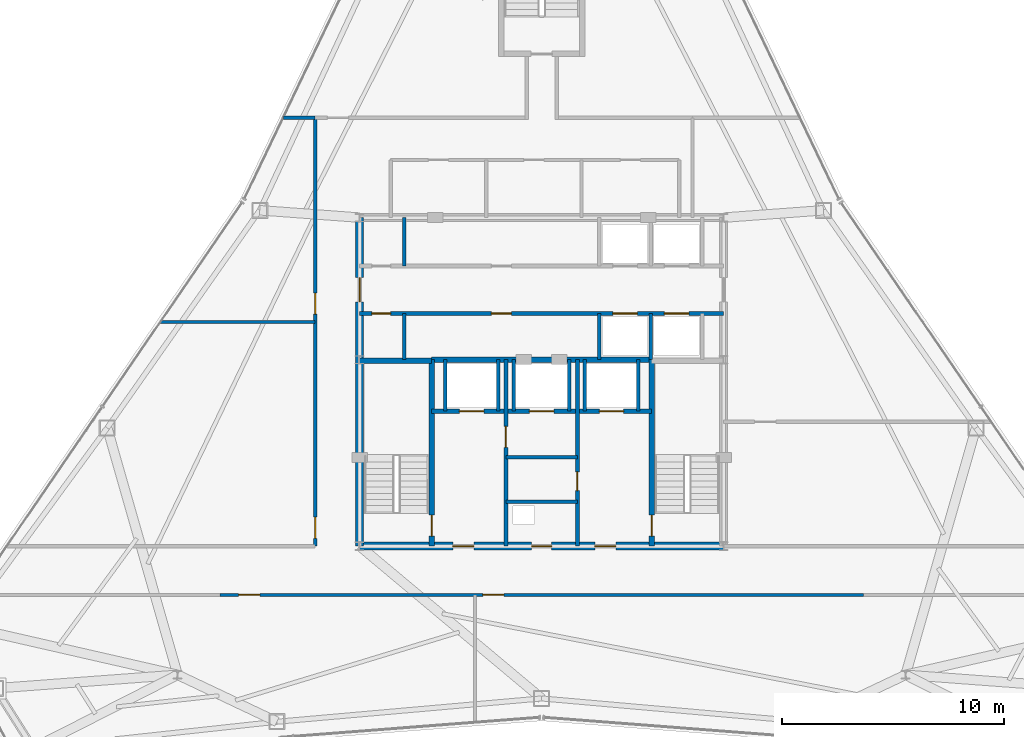
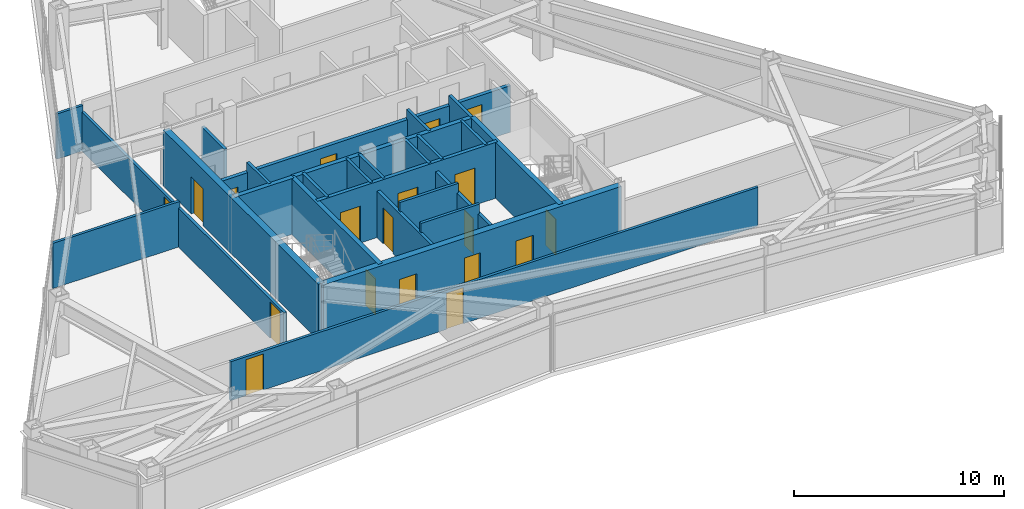
# One storey, part 9 of 12: 26 walls, 19 doors, 19 openings.
"""IFC4 building model written with IfcOpenShell, lengths in metres."""

from ifc_helpers import new_model, si_unit, direction, frame, frame_2d, origin, place, context, subcontext, project, spatial, rectangle, extrude, material, layer, layer_set, type_object, element, fill, save


model = new_model("IFC4")

# Units and contexts
model_context = context("Model", 3, precision=1e-05, world=origin(), true_north=direction((0.0, 1.0)))
body_context = subcontext(model_context, "Body", "Model", "MODEL_VIEW")
ifc_project = project(units=[si_unit("LENGTHUNIT", "METRE"), si_unit("AREAUNIT", "SQUARE_METRE"), si_unit("VOLUMEUNIT", "CUBIC_METRE"), si_unit("PLANEANGLEUNIT", "RADIAN"), si_unit("MASSUNIT", "GRAM", prefix="KILO")], contexts=[model_context])

# Site, building, storey
site_placement = place(None, origin())
site = spatial("IfcSite", under=ifc_project, at=site_placement, CompositionType="ELEMENT")
building_placement = place(site_placement, origin())
building = spatial("IfcBuilding", under=site, at=building_placement, Name="Varakhsha Concourse Tower", CompositionType="ELEMENT")
storey_placement = place(building_placement, frame((0.0, 0.0, 222.39990234375)))
storey = spatial("IfcBuildingStorey", under=building, at=storey_placement, Name="L63", CompositionType="ELEMENT", Elevation=222.39990234375)

# Wall, openings, doors
ifc_material_1 = material(Name="Concrete fc 65 MPa", Category="concrete")
ifc_layer_1 = layer(ifc_material_1, 0.35009765625, Name="WL-CORE-350")
ifc_layer_set_1 = layer_set([ifc_layer_1], Name="Concrete fc 65 MPa")
wall_type_1 = type_object("IfcWallType", Name="WL-CORE-350", PredefinedType="SHEAR", material=ifc_layer_set_1)
wall_1_placement = place(storey_placement, frame((31.800048828125, 16.39990234375, 0.0), z_axis=(0.0, 0.0, 1.0), x_axis=(1.0, 0.0, 0.0)))
wall_1 = element("IfcWall", 1, at=wall_1_placement, inside=storey, type_object=wall_type_1, Name="L63 Wall CWALL-S-L63", PredefinedType="SHEAR", context=body_context, shape_type="SweptSolid", body=[
    extrude(rectangle(XDim=16.39990234375, YDim=0.35009765625, at=frame_2d((8.199951171875, 0.0))), origin(), (0.0, 0.0, 1.0), 3.25),
])
opening_1_placement = place(wall_1_placement, frame((7.75, 0.0, 0.0)))
opening_1 = element("IfcOpeningElement", 2, at=opening_1_placement, cuts=wall_1, Name="Opening DF-06", PredefinedType="OPENING", context=body_context, shape_type="SweptSolid", body=[
    extrude(rectangle(XDim=0.89990234375, YDim=2.10009765625, at=frame_2d((0.449951171875, 1.050048828125))), frame((0.0, 0.18505859375, 0.0), z_axis=(0.0, -1.0, 0.0), x_axis=(1.0, 0.0, 0.0)), (0.0, 0.0, 1.0), 0.3701171875),
])
opening_2_placement = place(wall_1_placement, frame((4.199951171875, 0.0, 0.0)))
opening_2 = element("IfcOpeningElement", 3, at=opening_2_placement, cuts=wall_1, Name="Opening DF-05", PredefinedType="OPENING", context=body_context, shape_type="SweptSolid", body=[
    extrude(rectangle(XDim=0.949951171875, YDim=2.10009765625, at=frame_2d((0.47509765625, 1.050048828125))), frame((0.0, 0.18505859375, 0.0), z_axis=(0.0, -1.0, 0.0), x_axis=(1.0, 0.0, 0.0)), (0.0, 0.0, 1.0), 0.3701171875),
])
opening_3_placement = place(wall_1_placement, frame((10.60009765625, 0.0, 0.0)))
opening_3 = element("IfcOpeningElement", 4, at=opening_3_placement, cuts=wall_1, Name="Opening DF-05", PredefinedType="OPENING", context=body_context, shape_type="SweptSolid", body=[
    extrude(rectangle(XDim=0.949951171875, YDim=2.10009765625, at=frame_2d((0.47509765625, 1.050048828125))), frame((0.0, 0.18505859375, 0.0), z_axis=(0.0, -1.0, 0.0), x_axis=(1.0, 0.0, 0.0)), (0.0, 0.0, 1.0), 0.3701171875),
])
ifc_material_2 = material(Name="Hollow Galvanised Steel Fire Door Assembly", Category="steel")
door_type_1 = type_object("IfcDoorType", Name="DR-FD60-900", OperationType="NOTDEFINED", PredefinedType="DOOR", material=ifc_material_2)
door_1_placement = place(opening_1_placement, origin())
door_1 = element("IfcDoor", 5, at=door_1_placement, inside=storey, type_object=door_type_1, Name="L63 Electrical Riser Door", OperationType="SINGLE_SWING_LEFT", OverallHeight=2.10009765625, OverallWidth=0.89990234375, PredefinedType="DOOR", context=body_context, shape_type="SweptSolid", body=[
    extrude(rectangle(XDim=0.89990234375, YDim=2.10009765625, at=frame_2d((0.449951171875, 1.050048828125))), frame((0.0, 0.02490234375, 0.0), z_axis=(0.0, -1.0, 0.0), x_axis=(1.0, 0.0, 0.0)), (0.0, 0.0, 1.0), 0.050048828125),
])
fill(opening_1, door_1)
door_type_2 = type_object("IfcDoorType", Name="DR-FD60-950", OperationType="NOTDEFINED", PredefinedType="DOOR", material=ifc_material_2)
door_2_placement = place(opening_2_placement, origin())
door_2 = element("IfcDoor", 6, at=door_2_placement, inside=storey, type_object=door_type_2, Name="L63 Firefighting Lobby West Door", OperationType="SINGLE_SWING_RIGHT", OverallHeight=2.10009765625, OverallWidth=0.949951171875, PredefinedType="DOOR", context=body_context, shape_type="SweptSolid", body=[
    extrude(rectangle(XDim=0.949951171875, YDim=2.10009765625, at=frame_2d((0.47509765625, 1.050048828125))), frame((0.0, 0.02490234375, 0.0), z_axis=(0.0, -1.0, 0.0), x_axis=(1.0, 0.0, 0.0)), (0.0, 0.0, 1.0), 0.050048828125),
])
fill(opening_2, door_2)
door_3_placement = place(opening_3_placement, origin())
door_3 = element("IfcDoor", 7, at=door_3_placement, inside=storey, type_object=door_type_2, Name="L63 Firefighting Lobby East Door", OperationType="SINGLE_SWING_LEFT", OverallHeight=2.10009765625, OverallWidth=0.949951171875, PredefinedType="DOOR", context=body_context, shape_type="SweptSolid", body=[
    extrude(rectangle(XDim=0.949951171875, YDim=2.10009765625, at=frame_2d((0.47509765625, 1.050048828125))), frame((0.0, 0.02490234375, 0.0), z_axis=(0.0, -1.0, 0.0), x_axis=(1.0, 0.0, 0.0)), (0.0, 0.0, 1.0), 0.050048828125),
])
fill(opening_3, door_3)

# Wall, opening, door
wall_2_placement = place(storey_placement, frame((31.800048828125, 16.39990234375, 0.0), z_axis=(0.0, 0.0, 1.0), x_axis=(0.0, 1.0, 0.0)))
wall_2 = element("IfcWall", 8, at=wall_2_placement, inside=storey, type_object=wall_type_1, Name="L63 Wall CWALL-W-L63", PredefinedType="SHEAR", context=body_context, shape_type="SweptSolid", body=[
    extrude(rectangle(XDim=14.800048828125, YDim=0.35009765625, at=frame_2d((7.39990234375, 0.0))), origin(), (0.0, 0.0, 1.0), 3.25),
])
opening_4_placement = place(wall_2_placement, frame((11.0, 0.0, 0.0)))
opening_4 = element("IfcOpeningElement", 9, at=opening_4_placement, cuts=wall_2, Name="Opening DL-01", PredefinedType="OPENING", context=body_context, shape_type="SweptSolid", body=[
    extrude(rectangle(XDim=1.10009765625, YDim=2.14990234375, at=frame_2d((0.550048828125, 1.074951171875))), frame((0.0, 0.18505859375, 0.0), z_axis=(0.0, -1.0, 0.0), x_axis=(1.0, 0.0, 0.0)), (0.0, 0.0, 1.0), 0.3701171875),
])
ifc_material_3 = material(Name="Anodised Bronze Architectural Aluminium AA 6063-T6", Category="aluminium")
door_type_3 = type_object("IfcDoorType", Name="DR-LOB-1100", OperationType="NOTDEFINED", PredefinedType="DOOR", material=ifc_material_3)
door_4_placement = place(opening_4_placement, origin())
door_4 = element("IfcDoor", 10, at=door_4_placement, inside=storey, type_object=door_type_3, Name="L63 Lift Lobby West Concourse Door", OperationType="SINGLE_SWING_LEFT", OverallHeight=2.14990234375, OverallWidth=1.10009765625, PredefinedType="DOOR", context=body_context, shape_type="SweptSolid", body=[
    extrude(rectangle(XDim=1.10009765625, YDim=2.14990234375, at=frame_2d((0.550048828125, 1.074951171875))), frame((0.0, 0.02490234375, 0.0), z_axis=(0.0, -1.0, 0.0), x_axis=(1.0, 0.0, 0.0)), (0.0, 0.0, 1.0), 0.050048828125),
])
fill(opening_4, door_4)

ifc_material_4 = material(Name="Fire-Rated Type X Gypsum Partition Assembly", Category="gypsum")
ifc_layer_2 = layer(ifc_material_4, 0.179931640625, Name="WL-FFLOB-180")
ifc_layer_set_2 = layer_set([ifc_layer_2], Name="Fire-Rated Type X Gypsum Partition Assembly")
wall_type_2 = type_object("IfcWallType", Name="WL-FFLOB-180", PredefinedType="PARTITIONING", material=ifc_layer_set_2)
wall_3_placement = place(storey_placement, frame((38.389892578125, 16.39990234375, 0.0), z_axis=(0.0, 0.0, 1.0), x_axis=(0.0, 1.0, 0.0)))
wall_3 = element("IfcWall", 11, at=wall_3_placement, inside=storey, type_object=wall_type_2, Name="L63 Wall FFW-1E-L63", PredefinedType="PARTITIONING", context=body_context, shape_type="SweptSolid", body=[
    extrude(rectangle(XDim=8.400146484375, YDim=0.179931640625, at=frame_2d((4.2001953125, 0.0))), origin(), (0.0, 0.0, 1.0), 2.705078125),
])
opening_5_placement = place(wall_3_placement, frame((4.449951171875, 0.0, 0.0)))
opening_5 = element("IfcOpeningElement", 12, at=opening_5_placement, cuts=wall_3, Name="Opening DF-05", PredefinedType="OPENING", context=body_context, shape_type="SweptSolid", body=[
    extrude(rectangle(XDim=0.949951171875, YDim=2.10009765625, at=frame_2d((0.47509765625, 1.050048828125))), frame((0.0, 0.099853515625, 0.0), z_axis=(0.0, -1.0, 0.0), x_axis=(1.0, 0.0, 0.0)), (0.0, 0.0, 1.0), 0.199951171875),
])
door_5_placement = place(opening_5_placement, origin())
door_5 = element("IfcDoor", 13, at=door_5_placement, inside=storey, type_object=door_type_2, Name="L63 Service Vestibule Door", OperationType="SINGLE_SWING_RIGHT", OverallHeight=2.10009765625, OverallWidth=0.949951171875, PredefinedType="DOOR", context=body_context, shape_type="SweptSolid", body=[
    extrude(rectangle(XDim=0.949951171875, YDim=2.10009765625, at=frame_2d((0.47509765625, 1.050048828125))), frame((0.0, 0.02490234375, 0.0), z_axis=(0.0, -1.0, 0.0), x_axis=(1.0, 0.0, 0.0)), (0.0, 0.0, 1.0), 0.050048828125),
])
fill(opening_5, door_5)

wall_4_placement = place(storey_placement, frame((41.610107421875, 16.39990234375, 0.0), z_axis=(0.0, 0.0, 1.0), x_axis=(0.0, 1.0, 0.0)))
wall_4 = element("IfcWall", 14, at=wall_4_placement, inside=storey, type_object=wall_type_2, Name="L63 Wall FFW-2W-L63", PredefinedType="PARTITIONING", context=body_context, shape_type="SweptSolid", body=[
    extrude(rectangle(XDim=8.400146484375, YDim=0.179931640625, at=frame_2d((4.2001953125, 0.0))), origin(), (0.0, 0.0, 1.0), 2.705078125),
])
opening_6_placement = place(wall_4_placement, frame((2.5, 0.0, 0.0)))
opening_6 = element("IfcOpeningElement", 15, at=opening_6_placement, cuts=wall_4, Name="Opening DF-07", PredefinedType="OPENING", context=body_context, shape_type="SweptSolid", body=[
    extrude(rectangle(XDim=0.85009765625, YDim=2.050048828125, at=frame_2d((0.425048828125, 1.02490234375))), frame((0.0, 0.099853515625, 0.0), z_axis=(0.0, -1.0, 0.0), x_axis=(1.0, 0.0, 0.0)), (0.0, 0.0, 1.0), 0.199951171875),
])
door_type_4 = type_object("IfcDoorType", Name="DR-FD60-850", OperationType="NOTDEFINED", PredefinedType="DOOR", material=ifc_material_2)
door_6_placement = place(opening_6_placement, origin())
door_6 = element("IfcDoor", 16, at=door_6_placement, inside=storey, type_object=door_type_4, Name="L63 Telecoms Node Door", OperationType="SINGLE_SWING_LEFT", OverallHeight=2.050048828125, OverallWidth=0.85009765625, PredefinedType="DOOR", context=body_context, shape_type="SweptSolid", body=[
    extrude(rectangle(XDim=0.85009765625, YDim=2.050048828125, at=frame_2d((0.425048828125, 1.02490234375))), frame((0.0, 0.02490234375, 0.0), z_axis=(0.0, -1.0, 0.0), x_axis=(1.0, 0.0, 0.0)), (0.0, 0.0, 1.0), 0.050048828125),
])
fill(opening_6, door_6)

# Walls
ifc_layer_3 = layer(ifc_material_4, 0.14990234375, Name="WL-PART-150")
ifc_layer_set_3 = layer_set([ifc_layer_3], Name="Fire-Rated Type X Gypsum Partition Assembly")
wall_type_3 = type_object("IfcWallType", Name="WL-PART-150", PredefinedType="PARTITIONING", material=ifc_layer_set_3)
for number, where, z_axis, x_axis, name in (
    (17, (38.389892578125, 18.39990234375, 0.0), (0.0, 0.0, 1.0), (1.0, 0.0, 0.0), "L63 Wall RSW-H1-L63"),
    (18, (38.389892578125, 20.39990234375, 0.0), (0.0, 0.0, 1.0), (1.0, 0.0, 0.0), "L63 Wall RSW-H2-L63"),
):
    element("IfcWall", number, at=place(storey_placement, frame(where, z_axis=z_axis, x_axis=x_axis)), inside=storey, type_object=wall_type_3, Name=name, PredefinedType="PARTITIONING", context=body_context, shape_type="SweptSolid", body=[
        extrude(rectangle(XDim=3.22021484375, YDim=0.14990234375, at=frame_2d((1.610107421875, 0.0))), origin(), (0.0, 0.0, 1.0), 3.25),
    ])

# Wall, openings, doors
wall_5_placement = place(storey_placement, frame((29.800048828125, 16.39990234375, 0.0), z_axis=(0.0, 0.0, 1.0), x_axis=(0.0, 1.0, 0.0)))
wall_5 = element("IfcWall", 19, at=wall_5_placement, inside=storey, type_object=wall_type_3, Name="L63 Wall CRW-W-L63", PredefinedType="PARTITIONING", context=body_context, shape_type="SweptSolid", body=[
    extrude(rectangle(XDim=19.300048828125, YDim=0.14990234375, at=frame_2d((9.64990234375, 0.0))), origin(), (0.0, 0.0, 1.0), 2.26513671875),
])
opening_7_placement = place(wall_5_placement, frame((0.35009765625, 0.0, 0.0)))
opening_7 = element("IfcOpeningElement", 20, at=opening_7_placement, cuts=wall_5, Name="Opening DF-05", PredefinedType="OPENING", context=body_context, shape_type="SweptSolid", body=[
    extrude(rectangle(XDim=0.949951171875, YDim=2.10009765625, at=frame_2d((0.47509765625, 1.050048828125))), frame((0.0, 0.0849609375, 0.0), z_axis=(0.0, -1.0, 0.0), x_axis=(1.0, 0.0, 0.0)), (0.0, 0.0, 1.0), 0.169921875),
])
opening_8_placement = place(wall_5_placement, frame((10.449951171875, 0.0, 0.0)))
opening_8 = element("IfcOpeningElement", 21, at=opening_8_placement, cuts=wall_5, Name="Opening DF-05", PredefinedType="OPENING", context=body_context, shape_type="SweptSolid", body=[
    extrude(rectangle(XDim=0.949951171875, YDim=2.10009765625, at=frame_2d((0.47509765625, 1.050048828125))), frame((0.0, 0.0849609375, 0.0), z_axis=(0.0, -1.0, 0.0), x_axis=(1.0, 0.0, 0.0)), (0.0, 0.0, 1.0), 0.169921875),
])
door_7_placement = place(opening_7_placement, origin())
door_7 = element("IfcDoor", 22, at=door_7_placement, inside=storey, type_object=door_type_2, Name="L63 Institutional Client Office L63 Door", OperationType="SINGLE_SWING_LEFT", OverallHeight=2.10009765625, OverallWidth=0.949951171875, PredefinedType="DOOR", context=body_context, shape_type="SweptSolid", body=[
    extrude(rectangle(XDim=0.949951171875, YDim=2.10009765625, at=frame_2d((0.47509765625, 1.050048828125))), frame((0.0, 0.02490234375, 0.0), z_axis=(0.0, -1.0, 0.0), x_axis=(1.0, 0.0, 0.0)), (0.0, 0.0, 1.0), 0.050048828125),
])
fill(opening_7, door_7)
door_8_placement = place(opening_8_placement, origin())
door_8 = element("IfcDoor", 23, at=door_8_placement, inside=storey, type_object=door_type_2, Name="L63 Quantitative Analytics Studio L63-W2 Door", OperationType="SINGLE_SWING_RIGHT", OverallHeight=2.10009765625, OverallWidth=0.949951171875, PredefinedType="DOOR", context=body_context, shape_type="SweptSolid", body=[
    extrude(rectangle(XDim=0.949951171875, YDim=2.10009765625, at=frame_2d((0.47509765625, 1.050048828125))), frame((0.0, 0.02490234375, 0.0), z_axis=(0.0, -1.0, 0.0), x_axis=(1.0, 0.0, 0.0)), (0.0, 0.0, 1.0), 0.050048828125),
])
fill(opening_8, door_8)

wall_6_placement = place(storey_placement, frame((25.5, 14.199951171875, 0.0), z_axis=(0.0, 0.0, 1.0), x_axis=(1.0, 0.0, 0.0)))
wall_6 = element("IfcWall", 24, at=wall_6_placement, inside=storey, type_object=wall_type_3, Name="L63 Wall CRW-S-DOOR-L63", PredefinedType="PARTITIONING", context=body_context, shape_type="SweptSolid", body=[
    extrude(rectangle(XDim=29.0, YDim=0.14990234375, at=frame_2d((14.5, 0.0))), origin(), (0.0, 0.0, 1.0), 2.26513671875),
])
opening_9_placement = place(wall_6_placement, frame((0.85009765625, 0.0, 0.0)))
opening_9 = element("IfcOpeningElement", 25, at=opening_9_placement, cuts=wall_6, Name="Opening DF-05", PredefinedType="OPENING", context=body_context, shape_type="SweptSolid", body=[
    extrude(rectangle(XDim=0.949951171875, YDim=2.10009765625, at=frame_2d((0.47509765625, 1.050048828125))), frame((0.0, 0.0849609375, 0.0), z_axis=(0.0, -1.0, 0.0), x_axis=(1.0, 0.0, 0.0)), (0.0, 0.0, 1.0), 0.169921875),
])
opening_10_placement = place(wall_6_placement, frame((11.85009765625, 0.0, 0.0)))
opening_10 = element("IfcOpeningElement", 26, at=opening_10_placement, cuts=wall_6, Name="Opening DF-05", PredefinedType="OPENING", context=body_context, shape_type="SweptSolid", body=[
    extrude(rectangle(XDim=0.949951171875, YDim=2.10009765625, at=frame_2d((0.47509765625, 1.050048828125))), frame((0.0, 0.0849609375, 0.0), z_axis=(0.0, -1.0, 0.0), x_axis=(1.0, 0.0, 0.0)), (0.0, 0.0, 1.0), 0.169921875),
])
door_9_placement = place(opening_9_placement, origin())
door_9 = element("IfcDoor", 27, at=door_9_placement, inside=storey, type_object=door_type_2, Name="L63 Portfolio Risk Office L63-S1 Door", OperationType="SINGLE_SWING_LEFT", OverallHeight=2.10009765625, OverallWidth=0.949951171875, PredefinedType="DOOR", context=body_context, shape_type="SweptSolid", body=[
    extrude(rectangle(XDim=0.949951171875, YDim=2.10009765625, at=frame_2d((0.47509765625, 1.050048828125))), frame((0.0, 0.02490234375, 0.0), z_axis=(0.0, -1.0, 0.0), x_axis=(1.0, 0.0, 0.0)), (0.0, 0.0, 1.0), 0.050048828125),
])
fill(opening_9, door_9)
door_10_placement = place(opening_10_placement, origin())
door_10 = element("IfcDoor", 28, at=door_10_placement, inside=storey, type_object=door_type_2, Name="L63 Quantitative Analytics Studio L63-S2 Door", OperationType="SINGLE_SWING_RIGHT", OverallHeight=2.10009765625, OverallWidth=0.949951171875, PredefinedType="DOOR", context=body_context, shape_type="SweptSolid", body=[
    extrude(rectangle(XDim=0.949951171875, YDim=2.10009765625, at=frame_2d((0.47509765625, 1.050048828125))), frame((0.0, 0.02490234375, 0.0), z_axis=(0.0, -1.0, 0.0), x_axis=(1.0, 0.0, 0.0)), (0.0, 0.0, 1.0), 0.050048828125),
])
fill(opening_10, door_10)

# Walls
wall_7_placement = place(storey_placement, frame((28.361083984375, 35.699951171875, 0.0), z_axis=(0.0, 0.0, 1.0), x_axis=(1.0, 0.0, 0.0)))
element("IfcWall", 29, at=wall_7_placement, inside=storey, type_object=wall_type_3, Name="L63 Wall ODIV-WBN-L63", PredefinedType="PARTITIONING", context=body_context, shape_type="SweptSolid", body=[
    extrude(rectangle(XDim=1.43896484375, YDim=0.14990234375, at=frame_2d((0.719482421875, 0.0))), origin(), (0.0, 0.0, 1.0), 2.628173828125),
])
wall_8_placement = place(storey_placement, frame((22.8310546875, 26.5, 0.0), z_axis=(0.0, 0.0, 1.0), x_axis=(1.0, 0.0, 0.0)))
element("IfcWall", 30, at=wall_8_placement, inside=storey, type_object=wall_type_3, Name="L63 Wall ODIV-W1-L63", PredefinedType="PARTITIONING", context=body_context, shape_type="SweptSolid", body=[
    extrude(rectangle(XDim=6.968994140625, YDim=0.14990234375, at=frame_2d((3.484375, 0.0))), origin(), (0.0, 0.0, 1.0), 2.628173828125),
])

# Wall, openings, doors
ifc_layer_4 = layer(ifc_material_4, 0.199951171875, Name="WL-SHAFT-220")
ifc_layer_set_4 = layer_set([ifc_layer_4], Name="Fire-Rated Type X Gypsum Partition Assembly")
wall_type_4 = type_object("IfcWallType", Name="WL-SHAFT-220", PredefinedType="SOLIDWALL", material=ifc_layer_set_4)
wall_9_placement = place(storey_placement, frame((35.044921875, 22.47998046875, 0.0), z_axis=(0.0, 0.0, 1.0), x_axis=(1.0, 0.0, 0.0)))
wall_9 = element("IfcWall", 31, at=wall_9_placement, inside=storey, type_object=wall_type_4, Name="L63 Wall FFW-NH-L63", PredefinedType="SOLIDWALL", context=body_context, shape_type="SweptSolid", body=[
    extrude(rectangle(XDim=9.91015625, YDim=0.199951171875, at=frame_2d((4.955078125, 0.0))), origin(), (0.0, 0.0, 1.0), 3.25),
])
opening_11_placement = place(wall_9_placement, frame((1.2548828125, 0.0, 0.0)))
opening_11 = element("IfcOpeningElement", 32, at=opening_11_placement, cuts=wall_9, Name="Opening LD-FFL-1", PredefinedType="OPENING", context=body_context, shape_type="SweptSolid", body=[
    extrude(rectangle(XDim=1.10009765625, YDim=2.14990234375, at=frame_2d((0.550048828125, 1.074951171875))), frame((0.0, 0.10986328125, 0.0), z_axis=(0.0, -1.0, 0.0), x_axis=(1.0, 0.0, 0.0)), (0.0, 0.0, 1.0), 0.219970703125),
])
opening_12_placement = place(wall_9_placement, frame((7.554931640625, 0.0, 0.0)))
opening_12 = element("IfcOpeningElement", 33, at=opening_12_placement, cuts=wall_9, Name="Opening LD-FFL-2", PredefinedType="OPENING", context=body_context, shape_type="SweptSolid", body=[
    extrude(rectangle(XDim=1.10009765625, YDim=2.14990234375, at=frame_2d((0.550048828125, 1.074951171875))), frame((0.0, 0.10986328125, 0.0), z_axis=(0.0, -1.0, 0.0), x_axis=(1.0, 0.0, 0.0)), (0.0, 0.0, 1.0), 0.219970703125),
])
opening_13_placement = place(wall_9_placement, frame((4.405029296875, 0.0, 0.0)))
opening_13 = element("IfcOpeningElement", 34, at=opening_13_placement, cuts=wall_9, Name="Opening LD-SVL-1", PredefinedType="OPENING", context=body_context, shape_type="SweptSolid", body=[
    extrude(rectangle(XDim=1.10009765625, YDim=2.14990234375, at=frame_2d((0.550048828125, 1.074951171875))), frame((0.0, 0.10986328125, 0.0), z_axis=(0.0, -1.0, 0.0), x_axis=(1.0, 0.0, 0.0)), (0.0, 0.0, 1.0), 0.219970703125),
])
ifc_material_5 = material(Name="Brushed Austenitic Stainless Steel AISI 316", Category="steel")
door_type_5 = type_object("IfcDoorType", Name="DR-LD-1100", OperationType="DOUBLE_DOOR_SLIDING", PredefinedType="DOOR", material=ifc_material_5)
door_11_placement = place(opening_11_placement, origin())
door_11 = element("IfcDoor", 35, at=door_11_placement, inside=storey, type_object=door_type_5, Name="Lift Landing Door FFL-1 L63", OperationType="DOUBLE_DOOR_SLIDING", OverallHeight=2.14990234375, OverallWidth=1.10009765625, PredefinedType="DOOR", context=body_context, shape_type="SweptSolid", body=[
    extrude(rectangle(XDim=1.10009765625, YDim=2.14990234375, at=frame_2d((0.550048828125, 1.074951171875))), frame((0.0, 0.02490234375, 0.0), z_axis=(0.0, -1.0, 0.0), x_axis=(1.0, 0.0, 0.0)), (0.0, 0.0, 1.0), 0.050048828125),
])
fill(opening_11, door_11)
door_12_placement = place(opening_12_placement, origin())
door_12 = element("IfcDoor", 36, at=door_12_placement, inside=storey, type_object=door_type_5, Name="Lift Landing Door FFL-2 L63", OperationType="DOUBLE_DOOR_SLIDING", OverallHeight=2.14990234375, OverallWidth=1.10009765625, PredefinedType="DOOR", context=body_context, shape_type="SweptSolid", body=[
    extrude(rectangle(XDim=1.10009765625, YDim=2.14990234375, at=frame_2d((0.550048828125, 1.074951171875))), frame((0.0, 0.02490234375, 0.0), z_axis=(0.0, -1.0, 0.0), x_axis=(1.0, 0.0, 0.0)), (0.0, 0.0, 1.0), 0.050048828125),
])
fill(opening_12, door_12)
door_13_placement = place(opening_13_placement, origin())
door_13 = element("IfcDoor", 37, at=door_13_placement, inside=storey, type_object=door_type_5, Name="Lift Landing Door SVL-1 L63", OperationType="DOUBLE_DOOR_SLIDING", OverallHeight=2.14990234375, OverallWidth=1.10009765625, PredefinedType="DOOR", context=body_context, shape_type="SweptSolid", body=[
    extrude(rectangle(XDim=1.10009765625, YDim=2.14990234375, at=frame_2d((0.550048828125, 1.074951171875))), frame((0.0, 0.02490234375, 0.0), z_axis=(0.0, -1.0, 0.0), x_axis=(1.0, 0.0, 0.0)), (0.0, 0.0, 1.0), 0.050048828125),
])
fill(opening_13, door_13)

# Walls
for number, where, z_axis, x_axis, name in (
    (38, (35.64990234375, 22.47998046875, 0.0), (0.0, 0.0, 1.0), (0.0, 1.0, 0.0), "L63 Wall SHW-FFL-1-W-L63"),
    (39, (38.050048828125, 22.47998046875, 0.0), (0.0, 0.0, 1.0), (0.0, 1.0, 0.0), "L63 Wall SHW-FFL-1-E-L63"),
    (40, (41.949951171875, 22.47998046875, 0.0), (0.0, 0.0, 1.0), (0.0, 1.0, 0.0), "L63 Wall SHW-FFL-2-W-L63"),
    (41, (44.35009765625, 22.47998046875, 0.0), (0.0, 0.0, 1.0), (0.0, 1.0, 0.0), "L63 Wall SHW-FFL-2-E-L63"),
    (42, (38.75, 22.47998046875, 0.0), (0.0, 0.0, 1.0), (0.0, 1.0, 0.0), "L63 Wall SHW-SVL-1-W-L63"),
    (43, (41.25, 22.47998046875, 0.0), (0.0, 0.0, 1.0), (0.0, 1.0, 0.0), "L63 Wall SHW-SVL-1-E-L63"),
):
    element("IfcWall", number, at=place(storey_placement, frame(where, z_axis=z_axis, x_axis=x_axis)), inside=storey, type_object=wall_type_4, Name=name, PredefinedType="SOLIDWALL", context=body_context, shape_type="SweptSolid", body=[
        extrude(rectangle(XDim=2.320068359375, YDim=0.159912109375, at=frame_2d((1.16015625, 0.0))), origin(), (0.0, 0.0, 1.0), 3.25),
    ])

# Wall, openings, doors
wall_10_placement = place(storey_placement, frame((31.800048828125, 26.8798828125, 0.0), z_axis=(0.0, 0.0, 1.0), x_axis=(1.0, 0.0, 0.0)))
wall_10 = element("IfcWall", 44, at=wall_10_placement, inside=storey, type_object=wall_type_4, Name="L63 Wall PLW-S-L63", PredefinedType="SOLIDWALL", context=body_context, shape_type="SweptSolid", body=[
    extrude(rectangle(XDim=16.39990234375, YDim=0.199951171875, at=frame_2d((8.199951171875, 0.0))), origin(), (0.0, 0.0, 1.0), 2.705078125),
])
opening_14_placement = place(wall_10_placement, frame((0.550048828125, 0.0, 0.0)))
opening_14 = element("IfcOpeningElement", 45, at=opening_14_placement, cuts=wall_10, Name="Opening DF-07", PredefinedType="OPENING", context=body_context, shape_type="SweptSolid", body=[
    extrude(rectangle(XDim=0.85009765625, YDim=2.050048828125, at=frame_2d((0.425048828125, 1.02490234375))), frame((0.0, 0.10986328125, 0.0), z_axis=(0.0, -1.0, 0.0), x_axis=(1.0, 0.0, 0.0)), (0.0, 0.0, 1.0), 0.219970703125),
])
opening_15_placement = place(wall_10_placement, frame((5.93994140625, 0.0, 0.0)))
opening_15 = element("IfcOpeningElement", 46, at=opening_15_placement, cuts=wall_10, Name="Opening DF-06", PredefinedType="OPENING", context=body_context, shape_type="SweptSolid", body=[
    extrude(rectangle(XDim=0.89990234375, YDim=2.10009765625, at=frame_2d((0.449951171875, 1.050048828125))), frame((0.0, 0.10986328125, 0.0), z_axis=(0.0, -1.0, 0.0), x_axis=(1.0, 0.0, 0.0)), (0.0, 0.0, 1.0), 0.219970703125),
])
opening_16_placement = place(wall_10_placement, frame((11.409912109375, 0.0, 0.0)))
opening_16 = element("IfcOpeningElement", 47, at=opening_16_placement, cuts=wall_10, Name="Opening LD-LF-P11", PredefinedType="OPENING", context=body_context, shape_type="SweptSolid", body=[
    extrude(rectangle(XDim=1.10009765625, YDim=2.14990234375, at=frame_2d((0.550048828125, 1.074951171875))), frame((0.0, 0.10986328125, 0.0), z_axis=(0.0, -1.0, 0.0), x_axis=(1.0, 0.0, 0.0)), (0.0, 0.0, 1.0), 0.219970703125),
])
opening_17_placement = place(wall_10_placement, frame((13.72998046875, 0.0, 0.0)))
opening_17 = element("IfcOpeningElement", 48, at=opening_17_placement, cuts=wall_10, Name="Opening LD-LF-P12", PredefinedType="OPENING", context=body_context, shape_type="SweptSolid", body=[
    extrude(rectangle(XDim=1.10009765625, YDim=2.14990234375, at=frame_2d((0.550048828125, 1.074951171875))), frame((0.0, 0.10986328125, 0.0), z_axis=(0.0, -1.0, 0.0), x_axis=(1.0, 0.0, 0.0)), (0.0, 0.0, 1.0), 0.219970703125),
])
door_14_placement = place(opening_14_placement, origin())
door_14 = element("IfcDoor", 49, at=door_14_placement, inside=storey, type_object=door_type_4, Name="L63 Core Telecoms Closet Door", OperationType="SINGLE_SWING_RIGHT", OverallHeight=2.050048828125, OverallWidth=0.85009765625, PredefinedType="DOOR", context=body_context, shape_type="SweptSolid", body=[
    extrude(rectangle(XDim=0.85009765625, YDim=2.050048828125, at=frame_2d((0.425048828125, 1.02490234375))), frame((0.0, 0.02490234375, 0.0), z_axis=(0.0, -1.0, 0.0), x_axis=(1.0, 0.0, 0.0)), (0.0, 0.0, 1.0), 0.050048828125),
])
fill(opening_14, door_14)
door_15_placement = place(opening_15_placement, origin())
door_15 = element("IfcDoor", 50, at=door_15_placement, inside=storey, type_object=door_type_1, Name="L63 Executive Pantry and Copy Suite Door", OperationType="SINGLE_SWING_RIGHT", OverallHeight=2.10009765625, OverallWidth=0.89990234375, PredefinedType="DOOR", context=body_context, shape_type="SweptSolid", body=[
    extrude(rectangle(XDim=0.89990234375, YDim=2.10009765625, at=frame_2d((0.449951171875, 1.050048828125))), frame((0.0, 0.02490234375, 0.0), z_axis=(0.0, -1.0, 0.0), x_axis=(1.0, 0.0, 0.0)), (0.0, 0.0, 1.0), 0.050048828125),
])
fill(opening_15, door_15)
door_16_placement = place(opening_16_placement, origin())
door_16 = element("IfcDoor", 51, at=door_16_placement, inside=storey, type_object=door_type_5, Name="Lift Landing Door LF-P11 L63", OperationType="DOUBLE_DOOR_SLIDING", OverallHeight=2.14990234375, OverallWidth=1.10009765625, PredefinedType="DOOR", context=body_context, shape_type="SweptSolid", body=[
    extrude(rectangle(XDim=1.10009765625, YDim=2.14990234375, at=frame_2d((0.550048828125, 1.074951171875))), frame((0.0, 0.02490234375, 0.0), z_axis=(0.0, -1.0, 0.0), x_axis=(1.0, 0.0, 0.0)), (0.0, 0.0, 1.0), 0.050048828125),
])
fill(opening_16, door_16)
door_17_placement = place(opening_17_placement, origin())
door_17 = element("IfcDoor", 52, at=door_17_placement, inside=storey, type_object=door_type_5, Name="Lift Landing Door LF-P12 L63", OperationType="DOUBLE_DOOR_SLIDING", OverallHeight=2.14990234375, OverallWidth=1.10009765625, PredefinedType="DOOR", context=body_context, shape_type="SweptSolid", body=[
    extrude(rectangle(XDim=1.10009765625, YDim=2.14990234375, at=frame_2d((0.550048828125, 1.074951171875))), frame((0.0, 0.02490234375, 0.0), z_axis=(0.0, -1.0, 0.0), x_axis=(1.0, 0.0, 0.0)), (0.0, 0.0, 1.0), 0.050048828125),
])
fill(opening_17, door_17)

# Walls
wall_11_placement = place(storey_placement, frame((33.820068359375, 29.02001953125, 0.0), z_axis=(0.0, 0.0, 1.0), x_axis=(0.0, 1.0, 0.0)))
element("IfcWall", 53, at=wall_11_placement, inside=storey, type_object=wall_type_4, Name="L63 Wall WBOH-E1-L63", PredefinedType="SOLIDWALL", context=body_context, shape_type="SweptSolid", body=[
    extrude(rectangle(XDim=2.179931640625, YDim=0.159912109375, at=frame_2d((1.08984375, 0.0))), origin(), (0.0, 0.0, 1.0), 2.705078125),
])
for number, where, z_axis, x_axis, name in (
    (54, (33.820068359375, 24.800048828125, 0.0), (0.0, 0.0, 1.0), (0.0, 1.0, 0.0), "L63 Wall WBOH-E2-L63"),
    (55, (42.60009765625, 24.800048828125, 0.0), (0.0, 0.0, 1.0), (0.0, 1.0, 0.0), "L63 Wall SHW-LF-P11-W-L63"),
    (56, (44.919921875, 24.800048828125, 0.0), (0.0, 0.0, 1.0), (0.0, 1.0, 0.0), "L63 Wall SHW-LF-P11-E-L63"),
):
    element("IfcWall", number, at=place(storey_placement, frame(where, z_axis=z_axis, x_axis=x_axis)), inside=storey, type_object=wall_type_4, Name=name, PredefinedType="SOLIDWALL", context=body_context, shape_type="SweptSolid", body=[
        extrude(rectangle(XDim=2.079833984375, YDim=0.159912109375, at=frame_2d((1.0400390625, 0.0))), origin(), (0.0, 0.0, 1.0), 3.25),
    ])

# Wall, opening, door
ifc_material_6 = material(Name="Concrete fc 45 MPa", Category="concrete")
ifc_layer_5 = layer(ifc_material_6, 0.25, Name="WL-STAIR-250")
ifc_layer_set_5 = layer_set([ifc_layer_5], Name="Concrete fc 45 MPa")
wall_type_5 = type_object("IfcWallType", Name="WL-STAIR-250", PredefinedType="SHEAR", material=ifc_layer_set_5)
wall_12_placement = place(storey_placement, frame((35.044921875, 16.39990234375, 0.0), z_axis=(0.0, 0.0, 1.0), x_axis=(0.0, 1.0, 0.0)))
wall_12 = element("IfcWall", 57, at=wall_12_placement, inside=storey, type_object=wall_type_5, Name="L63 Wall SWALL-ST1-E-L63", PredefinedType="SHEAR", context=body_context, shape_type="SweptSolid", body=[
    extrude(rectangle(XDim=8.400146484375, YDim=0.25, at=frame_2d((4.2001953125, 0.0))), origin(), (0.0, 0.0, 1.0), 3.25),
])
opening_18_placement = place(wall_12_placement, frame((0.449951171875, 0.0, 0.0)))
opening_18 = element("IfcOpeningElement", 58, at=opening_18_placement, cuts=wall_12, Name="Opening DF-03", PredefinedType="OPENING", context=body_context, shape_type="SweptSolid", body=[
    extrude(rectangle(XDim=0.949951171875, YDim=2.10009765625, at=frame_2d((0.47509765625, 1.050048828125))), frame((0.0, 0.135009765625, 0.0), z_axis=(0.0, -1.0, 0.0), x_axis=(1.0, 0.0, 0.0)), (0.0, 0.0, 1.0), 0.27001953125),
])
door_type_6 = type_object("IfcDoorType", Name="DR-FD90-950", OperationType="NOTDEFINED", PredefinedType="DOOR", material=ifc_material_2)
door_18_placement = place(opening_18_placement, origin())
door_18 = element("IfcDoor", 59, at=door_18_placement, inside=storey, type_object=door_type_6, Name="L63 Stair ST1 Fire Door", OperationType="SINGLE_SWING_LEFT", OverallHeight=2.10009765625, OverallWidth=0.949951171875, PredefinedType="DOOR", context=body_context, shape_type="SweptSolid", body=[
    extrude(rectangle(XDim=0.949951171875, YDim=2.10009765625, at=frame_2d((0.47509765625, 1.050048828125))), frame((0.0, 0.02490234375, 0.0), z_axis=(0.0, -1.0, 0.0), x_axis=(1.0, 0.0, 0.0)), (0.0, 0.0, 1.0), 0.050048828125),
])
fill(opening_18, door_18)

# Wall
wall_13_placement = place(storey_placement, frame((31.800048828125, 24.7548828125, 0.0), z_axis=(0.0, 0.0, 1.0), x_axis=(1.0, 0.0, 0.0)))
element("IfcWall", 60, at=wall_13_placement, inside=storey, type_object=wall_type_5, Name="L63 Wall SWALL-ST1-N-L63", PredefinedType="SHEAR", context=body_context, shape_type="SweptSolid", body=[
    extrude(rectangle(XDim=3.244873046875, YDim=0.25, at=frame_2d((1.62255859375, 0.0))), origin(), (0.0, 0.0, 1.0), 3.25),
])

# Wall, opening, door
wall_14_placement = place(storey_placement, frame((44.955078125, 16.39990234375, 0.0), z_axis=(0.0, 0.0, 1.0), x_axis=(0.0, 1.0, 0.0)))
wall_14 = element("IfcWall", 61, at=wall_14_placement, inside=storey, type_object=wall_type_5, Name="L63 Wall SWALL-ST2-W-L63", PredefinedType="SHEAR", context=body_context, shape_type="SweptSolid", body=[
    extrude(rectangle(XDim=8.400146484375, YDim=0.25, at=frame_2d((4.2001953125, 0.0))), origin(), (0.0, 0.0, 1.0), 3.25),
])
opening_19_placement = place(wall_14_placement, frame((0.449951171875, 0.0, 0.0)))
opening_19 = element("IfcOpeningElement", 62, at=opening_19_placement, cuts=wall_14, Name="Opening DF-03", PredefinedType="OPENING", context=body_context, shape_type="SweptSolid", body=[
    extrude(rectangle(XDim=0.949951171875, YDim=2.10009765625, at=frame_2d((0.47509765625, 1.050048828125))), frame((0.0, 0.135009765625, 0.0), z_axis=(0.0, -1.0, 0.0), x_axis=(1.0, 0.0, 0.0)), (0.0, 0.0, 1.0), 0.27001953125),
])
door_19_placement = place(opening_19_placement, origin())
door_19 = element("IfcDoor", 63, at=door_19_placement, inside=storey, type_object=door_type_6, Name="L63 Stair ST2 Fire Door", OperationType="SINGLE_SWING_RIGHT", OverallHeight=2.10009765625, OverallWidth=0.949951171875, PredefinedType="DOOR", context=body_context, shape_type="SweptSolid", body=[
    extrude(rectangle(XDim=0.949951171875, YDim=2.10009765625, at=frame_2d((0.47509765625, 1.050048828125))), frame((0.0, 0.02490234375, 0.0), z_axis=(0.0, -1.0, 0.0), x_axis=(1.0, 0.0, 0.0)), (0.0, 0.0, 1.0), 0.050048828125),
])
fill(opening_19, door_19)

# Wall
wall_15_placement = place(storey_placement, frame((35.044921875, 24.800048828125, 0.0), z_axis=(0.0, 0.0, 1.0), x_axis=(1.0, 0.0, 0.0)))
element("IfcWall", 64, at=wall_15_placement, inside=storey, type_object=wall_type_5, Name="L63 Wall SWALL-MID-H-L63", PredefinedType="SHEAR", context=body_context, shape_type="SweptSolid", body=[
    extrude(rectangle(XDim=9.91015625, YDim=0.25, at=frame_2d((4.955078125, 0.0))), origin(), (0.0, 0.0, 1.0), 3.25),
])

save(model, "model.ifc")
